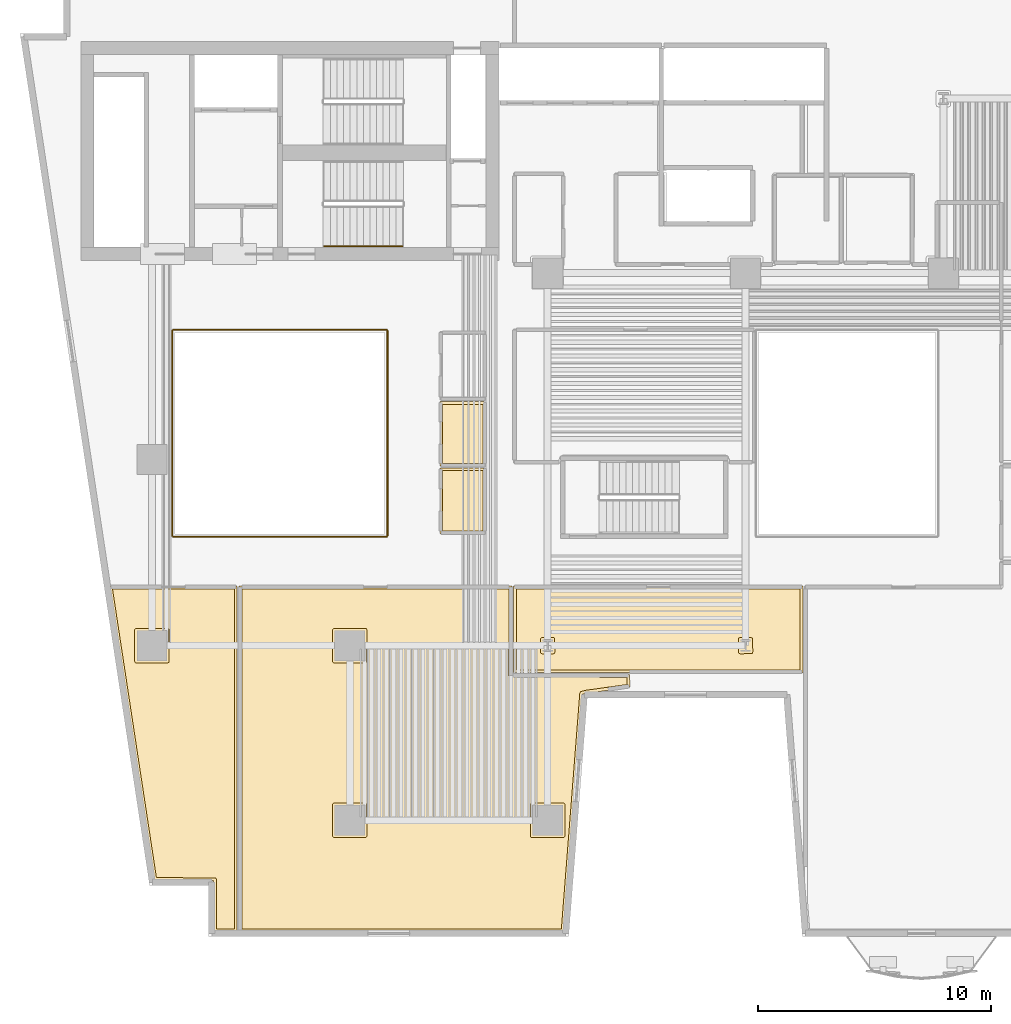
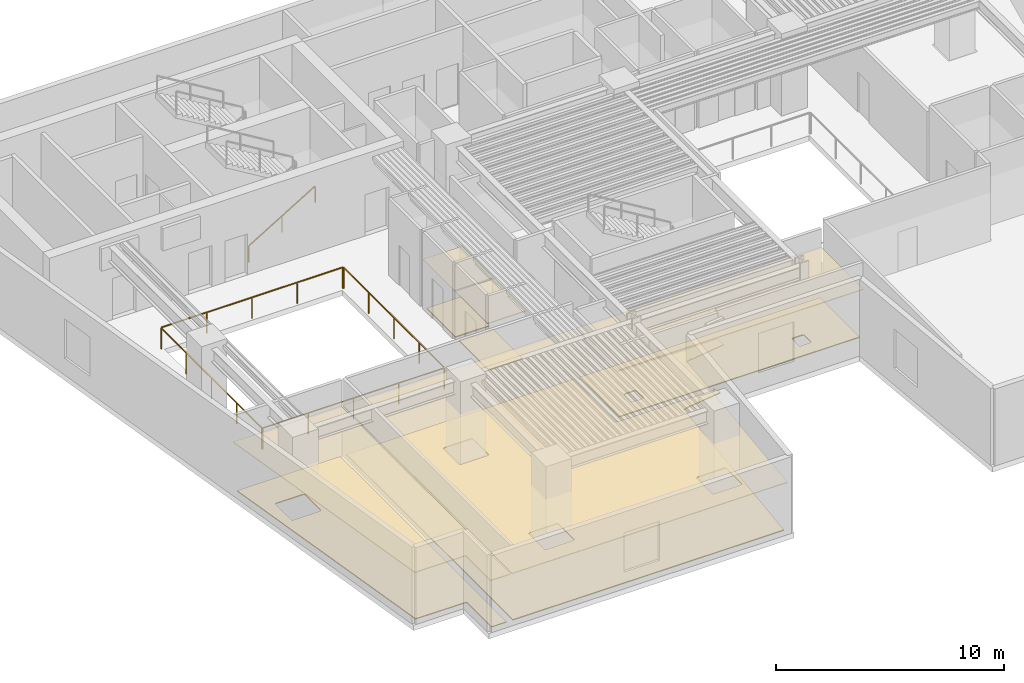
# One storey, part 8 of 12: 10 coverings, 5 railings.
"""IFC4 building model written with IfcOpenShell, lengths in metres."""

from ifc_helpers import new_model, si_unit, direction, frame, origin, origin_2d, place, context, subcontext, project, spatial, polyline, rectangle, outline, extrude, material, layer, layer_set, type_object, element, save


model = new_model("IFC4")

# Units and contexts
model_context = context("Model", 3, precision=1e-05, world=origin(), true_north=direction((0.0, 1.0)))
body_context = subcontext(model_context, "Body", "Model", "MODEL_VIEW")
ifc_project = project(units=[si_unit("LENGTHUNIT", "METRE"), si_unit("AREAUNIT", "SQUARE_METRE"), si_unit("VOLUMEUNIT", "CUBIC_METRE"), si_unit("PLANEANGLEUNIT", "RADIAN"), si_unit("MASSUNIT", "GRAM", prefix="KILO")], contexts=[model_context])

# Site, building, storey
site_placement = place(None, origin())
site = spatial("IfcSite", under=ifc_project, at=site_placement, CompositionType="ELEMENT")
building_placement = place(site_placement, origin())
building = spatial("IfcBuilding", under=site, at=building_placement, Name="Caeloran Harvest Quay", CompositionType="ELEMENT")
storey_placement = place(building_placement, frame((0.0, 0.0, 97.39990234375)))
storey = spatial("IfcBuildingStorey", under=building, at=storey_placement, Name="L22", CompositionType="ELEMENT", Elevation=97.39990234375)

# Coverings
ifc_material_1 = material(Name="Perforated Mineral-Fibre Acoustic Ceiling Tile", Category="ceiling")
ifc_layer_1 = layer(ifc_material_1, 0.0400390625, Name="Perforated Mineral-Fibre Acoustic Ceiling Tile")
ifc_layer_set_1 = layer_set([ifc_layer_1], Name="Perforated Mineral-Fibre Acoustic Ceiling Tile")
covering_type_1 = type_object("IfcCoveringType", Name="COV-CEILING-ACOUSTIC", PredefinedType="CEILING", material=ifc_layer_set_1)
covering_1_placement = place(storey_placement, frame((0.0, 0.0, 2.60009765625)))
element("IfcCovering", 1, at=covering_1_placement, inside=storey, type_object=covering_type_1, Name="L22 Female Washroom WC Acoustic Ceiling", PredefinedType="CEILING", context=body_context, shape_type="SweptSolid", body=[
    extrude(outline(polyline([(22.840087890625, 22.7099609375), (20.8701171875, 22.7099609375), (20.8701171875, 25.489990234375), (22.840087890625, 25.489990234375), (22.840087890625, 22.7099609375)])), origin(), (0.0, 0.0, 1.0), 0.0400390625),
])
covering_2_placement = place(storey_placement, frame((0.0, 0.0, 2.60009765625)))
element("IfcCovering", 2, at=covering_2_placement, inside=storey, type_object=covering_type_1, Name="L22 Accessible Unisex Washroom WC Acoustic Ceiling", PredefinedType="CEILING", context=body_context, shape_type="SweptSolid", body=[
    extrude(outline(polyline([(22.840087890625, 19.81005859375), (20.8701171875, 19.81005859375), (20.8701171875, 22.639892578125), (22.840087890625, 22.639892578125), (22.840087890625, 19.81005859375)])), origin(), (0.0, 0.0, 1.0), 0.0400390625),
])
covering_3_placement = place(storey_placement, frame((0.0, 0.0, 2.60009765625)))
element("IfcCovering", 3, at=covering_3_placement, inside=storey, type_object=covering_type_1, Name="Executive Agronomy Design Studio Acoustic Ceiling", PredefinedType="CEILING", context=body_context, shape_type="SweptSolid", body=[
    extrude(outline(polyline([(29.0078125, 13.760009765625), (29.047607421875, 13.2294921875), (27.3232421875, 12.969970703125), (27.18115234375, 12.968994140625), (26.99560546875, 12.920654296875), (26.199462890625, 2.719970703125), (12.239990234375, 2.719970703125), (12.239990234375, 17.56005859375), (23.9599609375, 17.56005859375), (23.9599609375, 13.760009765625), (29.0078125, 13.760009765625)])), origin(), (0.0, 0.0, 1.0), 0.0400390625),
])
covering_4_placement = place(storey_placement, frame((0.0, 0.0, 2.60009765625)))
element("IfcCovering", 4, at=covering_4_placement, inside=storey, type_object=covering_type_1, Name="Regional Food Policy Boardroom Acoustic Ceiling", PredefinedType="CEILING", context=body_context, shape_type="SweptSolid", body=[
    extrude(outline(polyline([(12.159912109375, 2.719970703125), (11.156982421875, 2.719970703125), (11.156982421875, 4.919921875), (8.59130859375, 4.919921875), (6.668701171875, 17.56005859375), (12.159912109375, 17.56005859375), (12.159912109375, 2.719970703125)])), origin(), (0.0, 0.0, 1.0), 0.0400390625),
])
covering_5_placement = place(storey_placement, frame((0.0, 0.0, 2.60009765625)))
element("IfcCovering", 5, at=covering_5_placement, inside=storey, type_object=covering_type_1, Name="Client Briefing Conference Room Acoustic Ceiling", PredefinedType="CEILING", context=body_context, shape_type="SweptSolid", body=[
    extrude(outline(polyline([(36.4599609375, 13.840087890625), (24.0400390625, 13.840087890625), (24.0400390625, 17.56005859375), (36.4599609375, 17.56005859375), (36.4599609375, 13.840087890625)])), origin(), (0.0, 0.0, 1.0), 0.0400390625),
])
ifc_material_2 = material(Name="Calcium-Sulphate Raised Access Floor and Terrazzo Finish", Category="flooring")
ifc_layer_2 = layer(ifc_material_2, 0.050048828125, Name="Calcium-Sulphate Raised Access Floor and Terrazzo Finish")
ifc_layer_set_2 = layer_set([ifc_layer_2], Name="Calcium-Sulphate Raised Access Floor and Terrazzo Finish")
covering_type_2 = type_object("IfcCoveringType", Name="COV-FLOOR-RAISED", PredefinedType="FLOORING", material=ifc_layer_set_2)
covering_6_placement = place(storey_placement, origin())
element("IfcCovering", 6, at=covering_6_placement, inside=storey, type_object=covering_type_2, Name="L22 Female Washroom WC Raised Finish Flooring", PredefinedType="FLOORING", context=body_context, shape_type="SweptSolid", body=[
    extrude(outline(polyline([(22.719970703125, 22.830078125), (20.989990234375, 22.830078125), (20.989990234375, 25.3701171875), (22.719970703125, 25.3701171875), (22.719970703125, 22.830078125)])), origin(), (0.0, 0.0, 1.0), 0.050048828125),
])
covering_7_placement = place(storey_placement, origin())
element("IfcCovering", 7, at=covering_7_placement, inside=storey, type_object=covering_type_2, Name="L22 Accessible Unisex Washroom WC Raised Finish Flooring", PredefinedType="FLOORING", context=body_context, shape_type="SweptSolid", body=[
    extrude(outline(polyline([(22.719970703125, 19.929931640625), (20.989990234375, 19.929931640625), (20.989990234375, 22.52001953125), (22.719970703125, 22.52001953125), (22.719970703125, 19.929931640625)])), origin(), (0.0, 0.0, 1.0), 0.050048828125),
])
covering_8_placement = place(storey_placement, origin())
element("IfcCovering", 8, at=covering_8_placement, inside=storey, type_object=covering_type_2, Name="Executive Agronomy Design Studio Raised Finish Flooring", PredefinedType="FLOORING", context=body_context, shape_type="SweptSolid", body=[
    extrude(outline(polyline([(23.840087890625, 17.43994140625), (23.840087890625, 13.719970703125), (23.869140625, 13.658203125), (28.896484375, 13.639892578125), (28.91943359375, 13.33154296875), (27.1396484375, 13.083984375), (26.92431640625, 13.028076171875), (26.881103515625, 12.976806640625), (26.08837890625, 2.840087890625), (12.360107421875, 2.840087890625), (12.360107421875, 17.43994140625), (23.840087890625, 17.43994140625)]), holes=[polyline([(26.2451171875, 8.1650390625), (26.2216796875, 8.2216796875), (26.1650390625, 8.2451171875), (24.8349609375, 8.2451171875), (24.7783203125, 8.2216796875), (24.7548828125, 8.1650390625), (24.7548828125, 6.8349609375), (24.7783203125, 6.7783203125), (24.8349609375, 6.7548828125), (26.1650390625, 6.7548828125), (26.2216796875, 6.7783203125), (26.2451171875, 6.8349609375), (26.2451171875, 8.1650390625)]), polyline([(16.3349609375, 8.2451171875), (16.2783203125, 8.2216796875), (16.2548828125, 8.1650390625), (16.2548828125, 6.8349609375), (16.2783203125, 6.7783203125), (16.3349609375, 6.7548828125), (17.6650390625, 6.7548828125), (17.7216796875, 6.7783203125), (17.7451171875, 6.8349609375), (17.7451171875, 8.1650390625), (17.7216796875, 8.2216796875), (17.6650390625, 8.2451171875), (16.3349609375, 8.2451171875)]), polyline([(17.7451171875, 15.6650390625), (17.7216796875, 15.7216796875), (17.6650390625, 15.7451171875), (16.3349609375, 15.7451171875), (16.2783203125, 15.7216796875), (16.2548828125, 15.6650390625), (16.2548828125, 14.3349609375), (16.2783203125, 14.2783203125), (16.3349609375, 14.2548828125), (17.6650390625, 14.2548828125), (17.7216796875, 14.2783203125), (17.7451171875, 14.3349609375), (17.7451171875, 15.6650390625)])]), origin(), (0.0, 0.0, 1.0), 0.050048828125),
])
covering_9_placement = place(storey_placement, origin())
element("IfcCovering", 9, at=covering_9_placement, inside=storey, type_object=covering_type_2, Name="Regional Food Policy Boardroom Raised Finish Flooring", PredefinedType="FLOORING", context=body_context, shape_type="SweptSolid", body=[
    extrude(outline(polyline([(12.0400390625, 17.43994140625), (12.0400390625, 2.840087890625), (11.277099609375, 2.840087890625), (11.277099609375, 4.9599609375), (11.247802734375, 5.021728515625), (8.694580078125, 5.0400390625), (6.80810546875, 17.43994140625), (12.0400390625, 17.43994140625)]), holes=[polyline([(9.2451171875, 15.6650390625), (9.2216796875, 15.7216796875), (9.1650390625, 15.7451171875), (7.8349609375, 15.7451171875), (7.7783203125, 15.7216796875), (7.7548828125, 15.6650390625), (7.7548828125, 14.3349609375), (7.7783203125, 14.2783203125), (7.8349609375, 14.2548828125), (9.1650390625, 14.2548828125), (9.2216796875, 14.2783203125), (9.2451171875, 14.3349609375), (9.2451171875, 15.6650390625)])]), origin(), (0.0, 0.0, 1.0), 0.050048828125),
])
covering_10_placement = place(storey_placement, origin())
element("IfcCovering", 10, at=covering_10_placement, inside=storey, type_object=covering_type_2, Name="Client Briefing Conference Room Raised Finish Flooring", PredefinedType="FLOORING", context=body_context, shape_type="SweptSolid", body=[
    extrude(outline(polyline([(24.159912109375, 17.43994140625), (36.340087890625, 17.43994140625), (36.340087890625, 13.9599609375), (24.159912109375, 13.9599609375), (24.159912109375, 17.43994140625)]), holes=[polyline([(33.7666015625, 15.35205078125), (33.7099609375, 15.32861328125), (33.68701171875, 15.27978515625), (33.70458984375, 14.67724609375), (33.7666015625, 14.64794921875), (34.2841796875, 14.666259765625), (34.3134765625, 14.72802734375), (34.29541015625, 15.32275390625), (34.2412109375, 15.3515625), (33.7666015625, 15.35205078125)]), polyline([(25.8134765625, 14.72802734375), (25.79541015625, 15.32275390625), (25.7412109375, 15.3515625), (25.2666015625, 15.35205078125), (25.2099609375, 15.32861328125), (25.1865234375, 15.27197265625), (25.1865234375, 14.72802734375), (25.2099609375, 14.67138671875), (25.2666015625, 14.64794921875), (25.7333984375, 14.64794921875), (25.7900390625, 14.67138671875), (25.8134765625, 14.72802734375)])]), origin(), (0.0, 0.0, 1.0), 0.050048828125),
])

# Railings
ifc_material_3 = material(Name="Powder-Coated Steel Post and Laminated Glass Guardrail", Category="steel")
ifc_layer_3 = layer(ifc_material_3, 0.06005859375, Name="Powder-Coated Steel Post and Laminated Glass Guardrail")
ifc_layer_set_3 = layer_set([ifc_layer_3], Name="Powder-Coated Steel Post and Laminated Glass Guardrail")
railing_type_1 = type_object("IfcRailingType", Name="GUARD-ATRIUM-1150", PredefinedType="GUARDRAIL", material=ifc_layer_set_3)
railing_1_placement = place(storey_placement, frame((9.412109375, 19.679931640625, 0.0)))
element("IfcRailing", 11, at=railing_1_placement, inside=storey, type_object=railing_type_1, Name="L22 Skylit Atrium Void Perimeter Guardrail Seg 1", PredefinedType="GUARDRAIL", context=body_context, shape_type="SweptSolid", body=[
    extrude(rectangle(XDim=0.048095703125, YDim=0.048095703125, at=origin_2d()), frame((0.0, 0.0, 1.1259765625), z_axis=(1.0, 0.0, 0.0), x_axis=(0.0, 1.0, 0.0)), (0.0, 0.0, 1.0), 9.17578125),
    extrude(rectangle(XDim=0.0419921875, YDim=0.0419921875, at=origin_2d()), origin(), (0.0, 0.0, 1.0), 1.101806640625),
    extrude(rectangle(XDim=0.0419921875, YDim=0.0419921875, at=origin_2d()), frame((2.2939453125, 0.0, 0.0)), (0.0, 0.0, 1.0), 1.101806640625),
    extrude(rectangle(XDim=0.0419921875, YDim=0.0419921875, at=origin_2d()), frame((4.587890625, 0.0, 0.0)), (0.0, 0.0, 1.0), 1.101806640625),
    extrude(rectangle(XDim=0.0419921875, YDim=0.0419921875, at=origin_2d()), frame((6.8818359375, 0.0, 0.0)), (0.0, 0.0, 1.0), 1.101806640625),
    extrude(rectangle(XDim=0.0419921875, YDim=0.0419921875, at=origin_2d()), frame((9.17578125, 0.0, 0.0)), (0.0, 0.0, 1.0), 1.101806640625),
])
railing_2_placement = place(storey_placement, frame((18.6201171875, 19.7119140625, 0.0)))
element("IfcRailing", 12, at=railing_2_placement, inside=storey, type_object=railing_type_1, Name="L22 Skylit Atrium Void Perimeter Guardrail Seg 2", PredefinedType="GUARDRAIL", context=body_context, shape_type="SweptSolid", body=[
    extrude(rectangle(XDim=0.048095703125, YDim=0.048095703125, at=origin_2d()), frame((0.0, 0.0, 1.1259765625), z_axis=(0.0, 1.0, 0.0), x_axis=(-1.0, 0.0, 0.0)), (0.0, 0.0, 1.0), 8.826171875),
    extrude(rectangle(XDim=0.0419921875, YDim=0.0419921875, at=origin_2d()), origin(), (0.0, 0.0, 1.0), 1.101806640625),
    extrude(rectangle(XDim=0.0419921875, YDim=0.0419921875, at=origin_2d()), frame((0.0, 2.20654296875, 0.0)), (0.0, 0.0, 1.0), 1.101806640625),
    extrude(rectangle(XDim=0.0419921875, YDim=0.0419921875, at=origin_2d()), frame((0.0, 4.4130859375, 0.0)), (0.0, 0.0, 1.0), 1.101806640625),
    extrude(rectangle(XDim=0.0419921875, YDim=0.0419921875, at=origin_2d()), frame((0.0, 6.61962890625, 0.0)), (0.0, 0.0, 1.0), 1.101806640625),
    extrude(rectangle(XDim=0.0419921875, YDim=0.0419921875, at=origin_2d()), frame((0.0, 8.826171875, 0.0)), (0.0, 0.0, 1.0), 1.101806640625),
])
railing_3_placement = place(storey_placement, frame((18.587890625, 28.570068359375, 0.0)))
element("IfcRailing", 13, at=railing_3_placement, inside=storey, type_object=railing_type_1, Name="L22 Skylit Atrium Void Perimeter Guardrail Seg 3", PredefinedType="GUARDRAIL", context=body_context, shape_type="SweptSolid", body=[
    extrude(rectangle(XDim=0.048095703125, YDim=0.048095703125, at=origin_2d()), frame((0.0, 0.0, 1.1259765625), z_axis=(-1.0, 0.0, 0.0), x_axis=(0.0, -1.0, 0.0)), (0.0, 0.0, 1.0), 9.17578125),
    extrude(rectangle(XDim=0.0419921875, YDim=0.0419921875, at=origin_2d()), origin(), (0.0, 0.0, 1.0), 1.101806640625),
    extrude(rectangle(XDim=0.0419921875, YDim=0.0419921875, at=origin_2d()), frame((-2.2939453125, 0.0, 0.0)), (0.0, 0.0, 1.0), 1.101806640625),
    extrude(rectangle(XDim=0.0419921875, YDim=0.0419921875, at=origin_2d()), frame((-4.587890625, 0.0, 0.0)), (0.0, 0.0, 1.0), 1.101806640625),
    extrude(rectangle(XDim=0.0419921875, YDim=0.0419921875, at=origin_2d()), frame((-6.8818359375, 0.0, 0.0)), (0.0, 0.0, 1.0), 1.101806640625),
    extrude(rectangle(XDim=0.0419921875, YDim=0.0419921875, at=origin_2d()), frame((-9.17578125, 0.0, 0.0)), (0.0, 0.0, 1.0), 1.101806640625),
])
railing_4_placement = place(storey_placement, frame((9.3798828125, 28.5380859375, 0.0)))
element("IfcRailing", 14, at=railing_4_placement, inside=storey, type_object=railing_type_1, Name="L22 Skylit Atrium Void Perimeter Guardrail Seg 4", PredefinedType="GUARDRAIL", context=body_context, shape_type="SweptSolid", body=[
    extrude(rectangle(XDim=0.048095703125, YDim=0.048095703125, at=origin_2d()), frame((0.0, 0.0, 1.1259765625), z_axis=(0.0, -1.0, 0.0), x_axis=(1.0, 0.0, 0.0)), (0.0, 0.0, 1.0), 8.826171875),
    extrude(rectangle(XDim=0.0419921875, YDim=0.0419921875, at=origin_2d()), origin(), (0.0, 0.0, 1.0), 1.101806640625),
    extrude(rectangle(XDim=0.0419921875, YDim=0.0419921875, at=origin_2d()), frame((0.0, -2.20654296875, 0.0)), (0.0, 0.0, 1.0), 1.101806640625),
    extrude(rectangle(XDim=0.0419921875, YDim=0.0419921875, at=origin_2d()), frame((0.0, -4.4130859375, 0.0)), (0.0, 0.0, 1.0), 1.101806640625),
    extrude(rectangle(XDim=0.0419921875, YDim=0.0419921875, at=origin_2d()), frame((0.0, -6.61962890625, 0.0)), (0.0, 0.0, 1.0), 1.101806640625),
    extrude(rectangle(XDim=0.0419921875, YDim=0.0419921875, at=origin_2d()), frame((0.0, -8.826171875, 0.0)), (0.0, 0.0, 1.0), 1.101806640625),
])
ifc_material_4 = material(Name="Brushed Stainless Steel Grade 304", Category="steel")
ifc_layer_4 = layer(ifc_material_4, 0.050048828125, Name="Brushed Stainless Steel Grade 304")
ifc_layer_set_4 = layer_set([ifc_layer_4], Name="Brushed Stainless Steel Grade 304")
railing_type_2 = type_object("IfcRailingType", Name="STAIR-HANDRAIL-900", PredefinedType="HANDRAIL", material=ifc_layer_set_4)
railing_5_placement = place(storey_placement, frame((15.89990234375, 32.14990234375, 0.16943359375)))
element("IfcRailing", 15, at=railing_5_placement, inside=storey, type_object=railing_type_2, Name="L22 ST-C2 stair handrail 1", PredefinedType="HANDRAIL", context=body_context, shape_type="SweptSolid", body=[
    extrude(rectangle(XDim=0.048095703125, YDim=0.048095703125, at=origin_2d()), frame((0.0, 0.0, 0.8759765625), z_axis=(0.855836976705, 0.0, 0.517245656632), x_axis=(0.0, 1.0, 0.0)), (0.0, 0.0, 1.0), 3.926025390625),
    extrude(rectangle(XDim=0.0419921875, YDim=0.0419921875, at=origin_2d()), origin(), (0.0, 0.0, 1.0), 0.851806640625),
    extrude(rectangle(XDim=0.0419921875, YDim=0.0419921875, at=origin_2d()), frame((1.68017578125, 0.0, 1.015380859375)), (0.0, 0.0, 1.0), 0.851806640625),
    extrude(rectangle(XDim=0.0419921875, YDim=0.0419921875, at=origin_2d()), frame((3.360107421875, 0.0, 2.03076171875)), (0.0, 0.0, 1.0), 0.851806640625),
])

save(model, "model.ifc")
